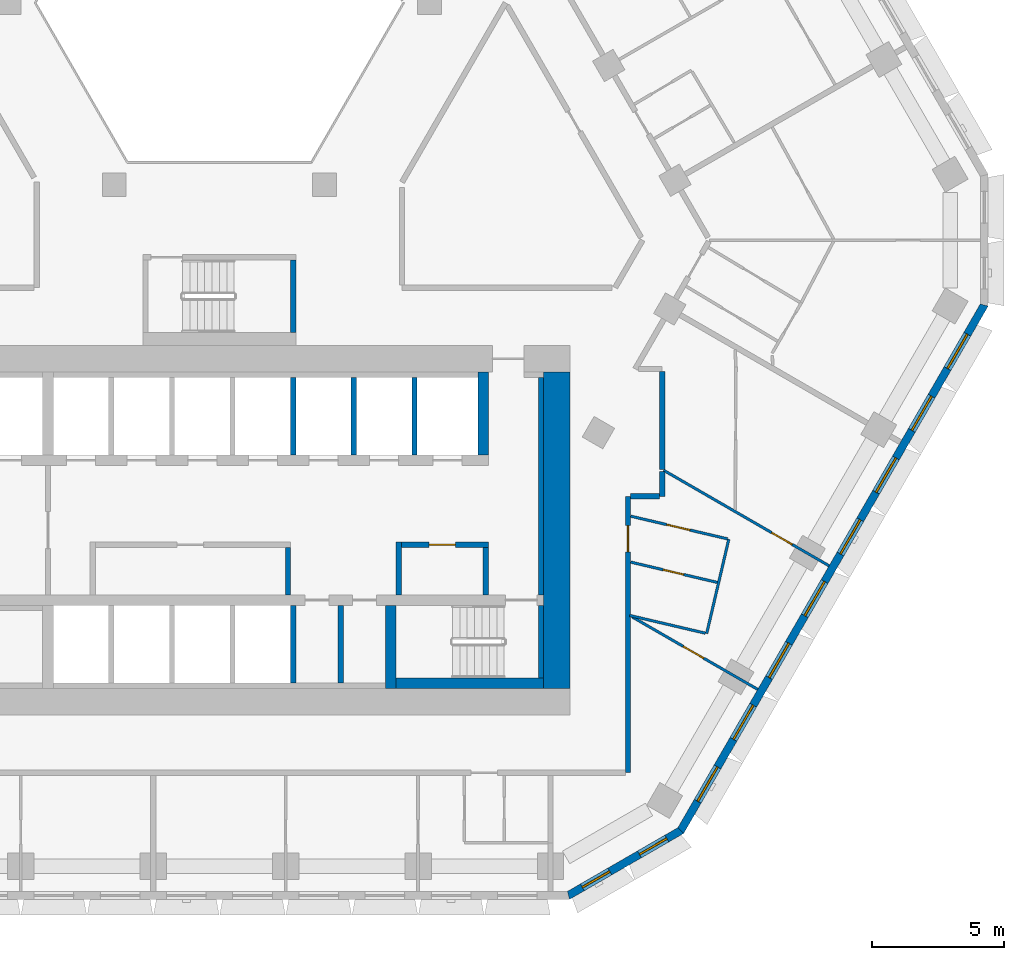
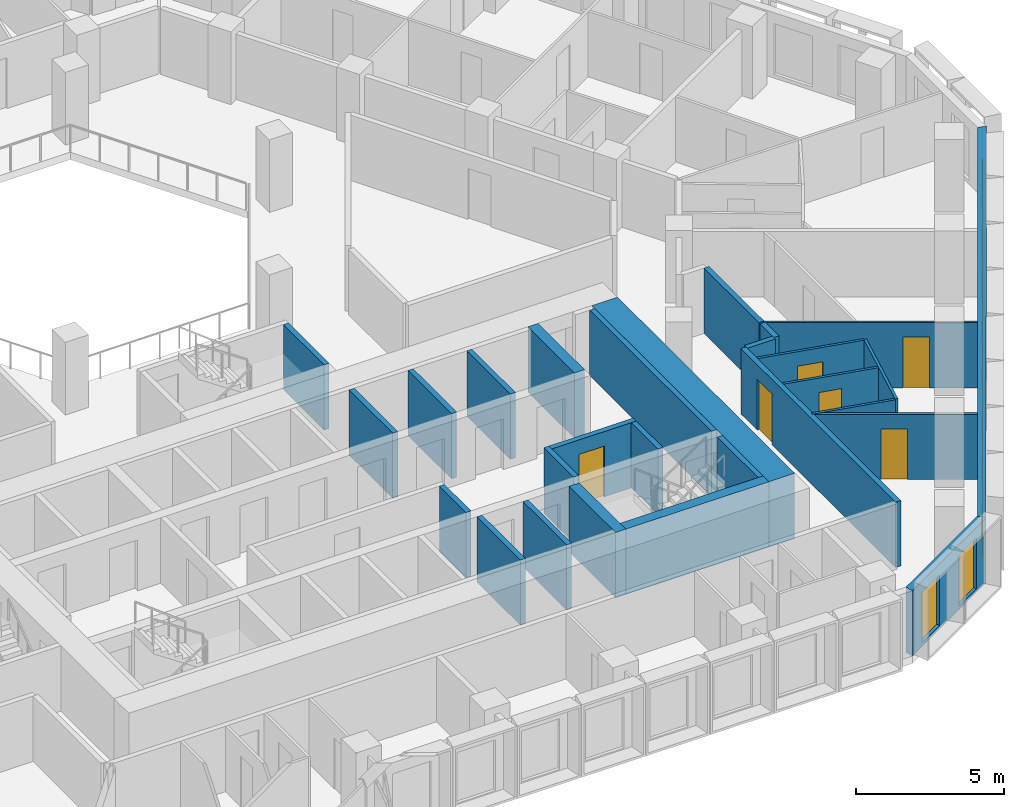
# One storey, part 6 of 18: 28 walls, 10 windows, 6 doors, 16 openings.
"""IFC4 building model written with IfcOpenShell, lengths in metres."""

from ifc_helpers import new_model, si_unit, direction, frame, frame_2d, origin, place, context, subcontext, project, spatial, polyline, rectangle, outline, extrude, material, layer, layer_set, type_object, element, fill, save


model = new_model("IFC4")

# Units and contexts
model_context = context("Model", 3, precision=1e-05, world=origin(), true_north=direction((0.0, 1.0)))
body_context = subcontext(model_context, "Body", "Model", "MODEL_VIEW")
ifc_project = project(units=[si_unit("LENGTHUNIT", "METRE"), si_unit("AREAUNIT", "SQUARE_METRE"), si_unit("VOLUMEUNIT", "CUBIC_METRE"), si_unit("PLANEANGLEUNIT", "RADIAN"), si_unit("MASSUNIT", "GRAM", prefix="KILO")], contexts=[model_context])

# Site, building, storey
site_placement = place(None, origin())
site = spatial("IfcSite", under=ifc_project, at=site_placement, CompositionType="ELEMENT")
building_placement = place(site_placement, origin())
building = spatial("IfcBuilding", under=site, at=building_placement, Name="Beryl Residences", CompositionType="ELEMENT")
storey_placement = place(building_placement, frame((0.0, 0.0, 81.0)))
storey = spatial("IfcBuildingStorey", under=building, at=storey_placement, Name="L24", CompositionType="ELEMENT", Elevation=81.0)

# Wall, openings, windows
ifc_material_1 = material(Name="Composite metal panel with mineral wool insulation")
ifc_layer_1 = layer(ifc_material_1, 0.300048828125)
ifc_layer_set_1 = layer_set([ifc_layer_1], Name="ES1 pale metal composite panel wall 300 mm")
wall_type_1 = type_object("IfcWallType", Name="ES1 pale metal composite panel wall 300 mm", PredefinedType="SOLIDWALL", material=ifc_layer_set_1)
wall_1_placement = place(storey_placement, frame((13.2041015625, -25.8701171875, 0.0), z_axis=(0.0, 0.0, 1.0), x_axis=(0.866010750942, 0.50002537861, 0.0)))
wall_1 = element("IfcWall", 1, at=wall_1_placement, inside=storey, type_object=wall_type_1, Name="ES1 external wall L24 S-SE", PredefinedType="SOLIDWALL", context=body_context, shape_type="SweptSolid", body=[
    extrude(outline(polyline([(0.0, -0.14990234375), (4.999755859375, -0.14990234375), (4.91943359375, 0.14990234375), (0.080322265625, 0.14990234375), (0.0, -0.14990234375)])), origin(), (0.0, 0.0, 1.0), 2.699951171875),
])
opening_1_placement = place(wall_1_placement, frame((0.64990234375, 0.0, 0.14990234375)))
opening_1 = element("IfcOpeningElement", 2, at=opening_1_placement, cuts=wall_1, Name="Opening W2", PredefinedType="OPENING", context=body_context, shape_type="SweptSolid", body=[
    extrude(rectangle(XDim=1.199951171875, YDim=2.10009765625, at=frame_2d((0.60009765625, 1.050048828125))), frame((0.0, 0.159912109375, 0.0), z_axis=(0.0, -1.0, 0.0), x_axis=(1.0, 0.0, 0.0)), (0.0, 0.0, 1.0), 0.320068359375),
])
opening_2_placement = place(wall_1_placement, frame((3.14892578125, 0.0, 0.14990234375)))
opening_2 = element("IfcOpeningElement", 3, at=opening_2_placement, cuts=wall_1, Name="Opening W2", PredefinedType="OPENING", context=body_context, shape_type="SweptSolid", body=[
    extrude(rectangle(XDim=1.199951171875, YDim=2.10009765625, at=frame_2d((0.60009765625, 1.050048828125))), frame((0.0, 0.159912109375, 0.0), z_axis=(0.0, -1.0, 0.0), x_axis=(1.0, 0.0, 0.0)), (0.0, 0.0, 1.0), 0.320068359375),
])
ifc_material_2 = material(Name="Aluminium and clear glass", Category="aluminium")
window_type_1 = type_object("IfcWindowType", Name="W2 chamfer window 1200 x 2100 mm", PartitioningType="SINGLE_PANEL", PredefinedType="WINDOW", material=ifc_material_2)
window_1_placement = place(opening_1_placement, origin())
window_1 = element("IfcWindow", 4, at=window_1_placement, inside=storey, type_object=window_type_1, Name="W2 window L24 S-SE 1", OverallHeight=2.10009765625, OverallWidth=1.199951171875, PartitioningType="SINGLE_PANEL", PredefinedType="WINDOW", context=body_context, shape_type="SweptSolid", body=[
    extrude(rectangle(XDim=1.199951171875, YDim=2.10009765625, at=frame_2d((0.60009765625, 1.050048828125))), frame((0.0, 0.030029296875, 0.0), z_axis=(0.0, -1.0, 0.0), x_axis=(1.0, 0.0, 0.0)), (0.0, 0.0, 1.0), 0.06005859375),
])
fill(opening_1, window_1)
window_2_placement = place(opening_2_placement, origin())
window_2 = element("IfcWindow", 5, at=window_2_placement, inside=storey, type_object=window_type_1, Name="W2 window L24 S-SE 2", OverallHeight=2.10009765625, OverallWidth=1.199951171875, PartitioningType="SINGLE_PANEL", PredefinedType="WINDOW", context=body_context, shape_type="SweptSolid", body=[
    extrude(rectangle(XDim=1.199951171875, YDim=2.10009765625, at=frame_2d((0.60009765625, 1.050048828125))), frame((0.0, 0.030029296875, 0.0), z_axis=(0.0, -1.0, 0.0), x_axis=(1.0, 0.0, 0.0)), (0.0, 0.0, 1.0), 0.06005859375),
])
fill(opening_2, window_2)

wall_2_placement = place(storey_placement, frame((17.47900390625, -23.425048828125, 0.0), z_axis=(0.0, 0.0, 1.0), x_axis=(0.500035407905, 0.866004960056, 0.0)))
wall_2 = element("IfcWall", 6, at=wall_2_placement, inside=storey, type_object=wall_type_1, Name="ES1 external wall L24 SE", PredefinedType="SOLIDWALL", context=body_context, shape_type="SweptSolid", body=[
    extrude(outline(polyline([(0.0, -0.14990234375), (23.094482421875, -0.14990234375), (23.01416015625, 0.14990234375), (0.080322265625, 0.14990234375), (0.0, -0.14990234375)])), origin(), (0.0, 0.0, 1.0), 2.699951171875),
])
opening_3_placement = place(wall_2_placement, frame((1.323974609375, 0.0, 0.14990234375)))
opening_3 = element("IfcOpeningElement", 7, at=opening_3_placement, cuts=wall_2, Name="Opening W1", PredefinedType="OPENING", context=body_context, shape_type="SweptSolid", body=[
    extrude(rectangle(XDim=1.5, YDim=2.10009765625, at=frame_2d((0.75, 1.050048828125))), frame((0.0, 0.159912109375, 0.0), z_axis=(0.0, -1.0, 0.0), x_axis=(1.0, 0.0, 0.0)), (0.0, 0.0, 1.0), 0.320068359375),
])
opening_4_placement = place(wall_2_placement, frame((4.031005859375, 0.0, 0.14990234375)))
opening_4 = element("IfcOpeningElement", 8, at=opening_4_placement, cuts=wall_2, Name="Opening W1", PredefinedType="OPENING", context=body_context, shape_type="SweptSolid", body=[
    extrude(rectangle(XDim=1.5, YDim=2.10009765625, at=frame_2d((0.75, 1.050048828125))), frame((0.0, 0.159912109375, 0.0), z_axis=(0.0, -1.0, 0.0), x_axis=(1.0, 0.0, 0.0)), (0.0, 0.0, 1.0), 0.320068359375),
])
opening_5_placement = place(wall_2_placement, frame((6.737060546875, 0.0, 0.14990234375)))
opening_5 = element("IfcOpeningElement", 9, at=opening_5_placement, cuts=wall_2, Name="Opening W1", PredefinedType="OPENING", context=body_context, shape_type="SweptSolid", body=[
    extrude(rectangle(XDim=1.5, YDim=2.10009765625, at=frame_2d((0.75, 1.050048828125))), frame((0.0, 0.159912109375, 0.0), z_axis=(0.0, -1.0, 0.0), x_axis=(1.0, 0.0, 0.0)), (0.0, 0.0, 1.0), 0.320068359375),
])
opening_6_placement = place(wall_2_placement, frame((9.444091796875, 0.0, 0.14990234375)))
opening_6 = element("IfcOpeningElement", 10, at=opening_6_placement, cuts=wall_2, Name="Opening W1", PredefinedType="OPENING", context=body_context, shape_type="SweptSolid", body=[
    extrude(rectangle(XDim=1.5, YDim=2.10009765625, at=frame_2d((0.75, 1.050048828125))), frame((0.0, 0.159912109375, 0.0), z_axis=(0.0, -1.0, 0.0), x_axis=(1.0, 0.0, 0.0)), (0.0, 0.0, 1.0), 0.320068359375),
])
opening_7_placement = place(wall_2_placement, frame((12.15087890625, 0.0, 0.14990234375)))
opening_7 = element("IfcOpeningElement", 11, at=opening_7_placement, cuts=wall_2, Name="Opening W1", PredefinedType="OPENING", context=body_context, shape_type="SweptSolid", body=[
    extrude(rectangle(XDim=1.5, YDim=2.10009765625, at=frame_2d((0.75, 1.050048828125))), frame((0.0, 0.159912109375, 0.0), z_axis=(0.0, -1.0, 0.0), x_axis=(1.0, 0.0, 0.0)), (0.0, 0.0, 1.0), 0.320068359375),
])
opening_8_placement = place(wall_2_placement, frame((14.85693359375, 0.0, 0.14990234375)))
opening_8 = element("IfcOpeningElement", 12, at=opening_8_placement, cuts=wall_2, Name="Opening W1", PredefinedType="OPENING", context=body_context, shape_type="SweptSolid", body=[
    extrude(rectangle(XDim=1.5, YDim=2.10009765625, at=frame_2d((0.75, 1.050048828125))), frame((0.0, 0.159912109375, 0.0), z_axis=(0.0, -1.0, 0.0), x_axis=(1.0, 0.0, 0.0)), (0.0, 0.0, 1.0), 0.320068359375),
])
opening_9_placement = place(wall_2_placement, frame((17.56396484375, 0.0, 0.14990234375)))
opening_9 = element("IfcOpeningElement", 13, at=opening_9_placement, cuts=wall_2, Name="Opening W1", PredefinedType="OPENING", context=body_context, shape_type="SweptSolid", body=[
    extrude(rectangle(XDim=1.5, YDim=2.10009765625, at=frame_2d((0.75, 1.050048828125))), frame((0.0, 0.159912109375, 0.0), z_axis=(0.0, -1.0, 0.0), x_axis=(1.0, 0.0, 0.0)), (0.0, 0.0, 1.0), 0.320068359375),
])
opening_10_placement = place(wall_2_placement, frame((20.27099609375, 0.0, 0.14990234375)))
opening_10 = element("IfcOpeningElement", 14, at=opening_10_placement, cuts=wall_2, Name="Opening W1", PredefinedType="OPENING", context=body_context, shape_type="SweptSolid", body=[
    extrude(rectangle(XDim=1.5, YDim=2.10009765625, at=frame_2d((0.75, 1.050048828125))), frame((0.0, 0.159912109375, 0.0), z_axis=(0.0, -1.0, 0.0), x_axis=(1.0, 0.0, 0.0)), (0.0, 0.0, 1.0), 0.320068359375),
])
ifc_material_3 = material(Name="Aluminium and clear glass", Category="aluminium")
window_type_2 = type_object("IfcWindowType", Name="W1 cell window 1500 x 2100 mm", PartitioningType="SINGLE_PANEL", PredefinedType="WINDOW", material=ifc_material_3)
window_3_placement = place(opening_3_placement, origin())
window_3 = element("IfcWindow", 15, at=window_3_placement, inside=storey, type_object=window_type_2, Name="W1 window L24 SE 1", OverallHeight=2.10009765625, OverallWidth=1.5, PartitioningType="SINGLE_PANEL", PredefinedType="WINDOW", context=body_context, shape_type="SweptSolid", body=[
    extrude(rectangle(XDim=1.5, YDim=2.10009765625, at=frame_2d((0.75, 1.050048828125))), frame((0.0, 0.030029296875, 0.0), z_axis=(0.0, -1.0, 0.0), x_axis=(1.0, 0.0, 0.0)), (0.0, 0.0, 1.0), 0.06005859375),
])
fill(opening_3, window_3)
window_4_placement = place(opening_4_placement, origin())
window_4 = element("IfcWindow", 16, at=window_4_placement, inside=storey, type_object=window_type_2, Name="W1 window L24 SE 2", OverallHeight=2.10009765625, OverallWidth=1.5, PartitioningType="SINGLE_PANEL", PredefinedType="WINDOW", context=body_context, shape_type="SweptSolid", body=[
    extrude(rectangle(XDim=1.5, YDim=2.10009765625, at=frame_2d((0.75, 1.050048828125))), frame((0.0, 0.030029296875, 0.0), z_axis=(0.0, -1.0, 0.0), x_axis=(1.0, 0.0, 0.0)), (0.0, 0.0, 1.0), 0.06005859375),
])
fill(opening_4, window_4)
window_5_placement = place(opening_5_placement, origin())
window_5 = element("IfcWindow", 17, at=window_5_placement, inside=storey, type_object=window_type_2, Name="W1 window L24 SE 3", OverallHeight=2.10009765625, OverallWidth=1.5, PartitioningType="SINGLE_PANEL", PredefinedType="WINDOW", context=body_context, shape_type="SweptSolid", body=[
    extrude(rectangle(XDim=1.5, YDim=2.10009765625, at=frame_2d((0.75, 1.050048828125))), frame((0.0, 0.030029296875, 0.0), z_axis=(0.0, -1.0, 0.0), x_axis=(1.0, 0.0, 0.0)), (0.0, 0.0, 1.0), 0.06005859375),
])
fill(opening_5, window_5)
window_6_placement = place(opening_6_placement, origin())
window_6 = element("IfcWindow", 18, at=window_6_placement, inside=storey, type_object=window_type_2, Name="W1 window L24 SE 4", OverallHeight=2.10009765625, OverallWidth=1.5, PartitioningType="SINGLE_PANEL", PredefinedType="WINDOW", context=body_context, shape_type="SweptSolid", body=[
    extrude(rectangle(XDim=1.5, YDim=2.10009765625, at=frame_2d((0.75, 1.050048828125))), frame((0.0, 0.030029296875, 0.0), z_axis=(0.0, -1.0, 0.0), x_axis=(1.0, 0.0, 0.0)), (0.0, 0.0, 1.0), 0.06005859375),
])
fill(opening_6, window_6)
window_7_placement = place(opening_7_placement, origin())
window_7 = element("IfcWindow", 19, at=window_7_placement, inside=storey, type_object=window_type_2, Name="W1 window L24 SE 5", OverallHeight=2.10009765625, OverallWidth=1.5, PartitioningType="SINGLE_PANEL", PredefinedType="WINDOW", context=body_context, shape_type="SweptSolid", body=[
    extrude(rectangle(XDim=1.5, YDim=2.10009765625, at=frame_2d((0.75, 1.050048828125))), frame((0.0, 0.030029296875, 0.0), z_axis=(0.0, -1.0, 0.0), x_axis=(1.0, 0.0, 0.0)), (0.0, 0.0, 1.0), 0.06005859375),
])
fill(opening_7, window_7)
window_8_placement = place(opening_8_placement, origin())
window_8 = element("IfcWindow", 20, at=window_8_placement, inside=storey, type_object=window_type_2, Name="W1 window L24 SE 6", OverallHeight=2.10009765625, OverallWidth=1.5, PartitioningType="SINGLE_PANEL", PredefinedType="WINDOW", context=body_context, shape_type="SweptSolid", body=[
    extrude(rectangle(XDim=1.5, YDim=2.10009765625, at=frame_2d((0.75, 1.050048828125))), frame((0.0, 0.030029296875, 0.0), z_axis=(0.0, -1.0, 0.0), x_axis=(1.0, 0.0, 0.0)), (0.0, 0.0, 1.0), 0.06005859375),
])
fill(opening_8, window_8)
window_9_placement = place(opening_9_placement, origin())
window_9 = element("IfcWindow", 21, at=window_9_placement, inside=storey, type_object=window_type_2, Name="W1 window L24 SE 7", OverallHeight=2.10009765625, OverallWidth=1.5, PartitioningType="SINGLE_PANEL", PredefinedType="WINDOW", context=body_context, shape_type="SweptSolid", body=[
    extrude(rectangle(XDim=1.5, YDim=2.10009765625, at=frame_2d((0.75, 1.050048828125))), frame((0.0, 0.030029296875, 0.0), z_axis=(0.0, -1.0, 0.0), x_axis=(1.0, 0.0, 0.0)), (0.0, 0.0, 1.0), 0.06005859375),
])
fill(opening_9, window_9)
window_10_placement = place(opening_10_placement, origin())
window_10 = element("IfcWindow", 22, at=window_10_placement, inside=storey, type_object=window_type_2, Name="W1 window L24 SE 8", OverallHeight=2.10009765625, OverallWidth=1.5, PartitioningType="SINGLE_PANEL", PredefinedType="WINDOW", context=body_context, shape_type="SweptSolid", body=[
    extrude(rectangle(XDim=1.5, YDim=2.10009765625, at=frame_2d((0.75, 1.050048828125))), frame((0.0, 0.030029296875, 0.0), z_axis=(0.0, -1.0, 0.0), x_axis=(1.0, 0.0, 0.0)), (0.0, 0.0, 1.0), 0.06005859375),
])
fill(opening_10, window_10)

# Wall, opening, door
ifc_material_4 = material(Name="Gypsum board partition on steel studs", Category="steel")
ifc_layer_2 = layer(ifc_material_4, 0.10009765625)
ifc_layer_set_2 = layer_set([ifc_layer_2], Name="PT1 partition 100 mm gypsum board on steel studs")
wall_type_2 = type_object("IfcWallType", Name="PT1 partition 100 mm gypsum board on steel studs", PredefinedType="PARTITIONING", material=ifc_layer_set_2)
wall_3_placement = place(storey_placement, frame((15.60009765625, -11.468017578125, 0.0), z_axis=(0.0, 0.0, 1.0), x_axis=(0.973560523801, -0.228429215503, 0.0)))
wall_3 = element("IfcWall", 23, at=wall_3_placement, inside=storey, type_object=wall_type_2, Name="Wall PT1 L24 017", PredefinedType="PARTITIONING", context=body_context, shape_type="SweptSolid", body=[
    extrude(rectangle(XDim=3.76953125, YDim=0.10009765625, at=frame_2d((1.884765625, 0.0))), origin(), (0.0, 0.0, 1.0), 2.699951171875),
])
opening_11_placement = place(wall_3_placement, frame((1.408935546875, 0.0, 0.0)))
opening_11 = element("IfcOpeningElement", 24, at=opening_11_placement, cuts=wall_3, Name="Opening D0639", PredefinedType="OPENING", context=body_context, shape_type="SweptSolid", body=[
    extrude(rectangle(XDim=0.89990234375, YDim=2.10009765625, at=frame_2d((0.449951171875, 1.050048828125))), frame((0.0, 0.06005859375, 0.0), z_axis=(0.0, -1.0, 0.0), x_axis=(1.0, 0.0, 0.0)), (0.0, 0.0, 1.0), 0.1201171875),
])
ifc_material_5 = material(Name="Timber door leaf", Category="wood")
door_type_1 = type_object("IfcDoorType", Name="D2 room door 900 x 2100 mm", OperationType="SINGLE_SWING_LEFT", PredefinedType="DOOR", material=ifc_material_5)
door_1_placement = place(opening_11_placement, origin())
door_1 = element("IfcDoor", 25, at=door_1_placement, inside=storey, type_object=door_type_1, Name="Door D0639 L24 001", OperationType="SINGLE_SWING_LEFT", OverallHeight=2.10009765625, OverallWidth=0.89990234375, PredefinedType="DOOR", context=body_context, shape_type="SweptSolid", body=[
    extrude(rectangle(XDim=0.89990234375, YDim=2.10009765625, at=frame_2d((0.449951171875, 1.050048828125))), frame((0.0, 0.02490234375, 0.0), z_axis=(0.0, -1.0, 0.0), x_axis=(1.0, 0.0, 0.0)), (0.0, 0.0, 1.0), 0.050048828125),
])
fill(opening_11, door_1)

wall_4_placement = place(storey_placement, frame((15.60009765625, -13.2109375, 0.0), z_axis=(0.0, 0.0, 1.0), x_axis=(0.973593440667, -0.228288879032, 0.0)))
wall_4 = element("IfcWall", 26, at=wall_4_placement, inside=storey, type_object=wall_type_2, Name="Wall PT1 L24 018", PredefinedType="PARTITIONING", context=body_context, shape_type="SweptSolid", body=[
    extrude(rectangle(XDim=3.373046875, YDim=0.10009765625, at=frame_2d((1.6865234375, 0.0))), origin(), (0.0, 0.0, 1.0), 2.699951171875),
])
opening_12_placement = place(wall_4_placement, frame((1.260009765625, 0.0, 0.0)))
opening_12 = element("IfcOpeningElement", 27, at=opening_12_placement, cuts=wall_4, Name="Opening D0640", PredefinedType="OPENING", context=body_context, shape_type="SweptSolid", body=[
    extrude(rectangle(XDim=0.800048828125, YDim=2.10009765625, at=frame_2d((0.39990234375, 1.050048828125))), frame((0.0, 0.06005859375, 0.0), z_axis=(0.0, -1.0, 0.0), x_axis=(1.0, 0.0, 0.0)), (0.0, 0.0, 1.0), 0.1201171875),
])
ifc_material_6 = material(Name="Timber door leaf", Category="wood")
door_type_2 = type_object("IfcDoorType", Name="D3 bathroom door 800 x 2100 mm", OperationType="SINGLE_SWING_LEFT", PredefinedType="DOOR", material=ifc_material_6)
door_2_placement = place(opening_12_placement, origin())
door_2 = element("IfcDoor", 28, at=door_2_placement, inside=storey, type_object=door_type_2, Name="Door D0640 L24 001", OperationType="SINGLE_SWING_RIGHT", OverallHeight=2.10009765625, OverallWidth=0.800048828125, PredefinedType="DOOR", context=body_context, shape_type="SweptSolid", body=[
    extrude(rectangle(XDim=0.800048828125, YDim=2.10009765625, at=frame_2d((0.39990234375, 1.050048828125))), frame((0.0, 0.02490234375, 0.0), z_axis=(0.0, -1.0, 0.0), x_axis=(1.0, 0.0, 0.0)), (0.0, 0.0, 1.0), 0.050048828125),
])
fill(opening_12, door_2)

# Wall
wall_5_placement = place(storey_placement, frame((15.56005859375, -15.23388671875, 0.0), z_axis=(0.0, 0.0, 1.0), x_axis=(0.973598200068, -0.228268580457, 0.0)))
element("IfcWall", 29, at=wall_5_placement, inside=storey, type_object=wall_type_2, Name="Wall PT1 L24 019", PredefinedType="PARTITIONING", context=body_context, shape_type="SweptSolid", body=[
    extrude(rectangle(XDim=2.94873046875, YDim=0.10009765625, at=frame_2d((1.474365234375, 0.0))), origin(), (0.0, 0.0, 1.0), 2.699951171875),
])

# Wall, opening, door
wall_6_placement = place(storey_placement, frame((15.64306640625, -15.281982421875, 0.0), z_axis=(0.0, 0.0, 1.0), x_axis=(0.865990833325, -0.500059873013, 0.0)))
wall_6 = element("IfcWall", 30, at=wall_6_placement, inside=storey, type_object=wall_type_2, Name="Wall PT1 L24 023", PredefinedType="PARTITIONING", context=body_context, shape_type="SweptSolid", body=[
    extrude(rectangle(XDim=5.511474609375, YDim=0.10009765625, at=frame_2d((2.755859375, 0.0))), origin(), (0.0, 0.0, 1.0), 2.699951171875),
])
opening_13_placement = place(wall_6_placement, frame((2.248046875, 0.0, 0.0)))
opening_13 = element("IfcOpeningElement", 31, at=opening_13_placement, cuts=wall_6, Name="Opening D0641", PredefinedType="OPENING", context=body_context, shape_type="SweptSolid", body=[
    extrude(rectangle(XDim=0.89990234375, YDim=2.10009765625, at=frame_2d((0.449951171875, 1.050048828125))), frame((0.0, 0.06005859375, 0.0), z_axis=(0.0, -1.0, 0.0), x_axis=(1.0, 0.0, 0.0)), (0.0, 0.0, 1.0), 0.1201171875),
])
door_3_placement = place(opening_13_placement, origin())
door_3 = element("IfcDoor", 32, at=door_3_placement, inside=storey, type_object=door_type_1, Name="Door D0641 L24 001", OperationType="SINGLE_SWING_LEFT", OverallHeight=2.10009765625, OverallWidth=0.89990234375, PredefinedType="DOOR", context=body_context, shape_type="SweptSolid", body=[
    extrude(rectangle(XDim=0.89990234375, YDim=2.10009765625, at=frame_2d((0.449951171875, 1.050048828125))), frame((0.0, 0.02490234375, 0.0), z_axis=(0.0, -1.0, 0.0), x_axis=(1.0, 0.0, 0.0)), (0.0, 0.0, 1.0), 0.050048828125),
])
fill(opening_13, door_3)

wall_7_placement = place(storey_placement, frame((16.85107421875, -9.72900390625, 0.0), z_axis=(0.0, 0.0, 1.0), x_axis=(0.866027278279, -0.499996753267, 0.0)))
wall_7 = element("IfcWall", 33, at=wall_7_placement, inside=storey, type_object=wall_type_2, Name="Wall PT1 L24 026", PredefinedType="PARTITIONING", context=body_context, shape_type="SweptSolid", body=[
    extrude(rectangle(XDim=7.2421875, YDim=0.10009765625, at=frame_2d((3.62109375, 0.0))), origin(), (0.0, 0.0, 1.0), 2.699951171875),
])
opening_14_placement = place(wall_7_placement, frame((4.72802734375, 0.0, 0.0)))
opening_14 = element("IfcOpeningElement", 34, at=opening_14_placement, cuts=wall_7, Name="Opening D0642", PredefinedType="OPENING", context=body_context, shape_type="SweptSolid", body=[
    extrude(rectangle(XDim=0.89990234375, YDim=2.10009765625, at=frame_2d((0.449951171875, 1.050048828125))), frame((0.0, 0.06005859375, 0.0), z_axis=(0.0, -1.0, 0.0), x_axis=(1.0, 0.0, 0.0)), (0.0, 0.0, 1.0), 0.1201171875),
])
door_4_placement = place(opening_14_placement, origin())
door_4 = element("IfcDoor", 35, at=door_4_placement, inside=storey, type_object=door_type_1, Name="Door D0642 L24 001", OperationType="SINGLE_SWING_RIGHT", OverallHeight=2.10009765625, OverallWidth=0.89990234375, PredefinedType="DOOR", context=body_context, shape_type="SweptSolid", body=[
    extrude(rectangle(XDim=0.89990234375, YDim=2.10009765625, at=frame_2d((0.449951171875, 1.050048828125))), frame((0.0, 0.02490234375, 0.0), z_axis=(0.0, -1.0, 0.0), x_axis=(1.0, 0.0, 0.0)), (0.0, 0.0, 1.0), 0.050048828125),
])
fill(opening_14, door_4)

# Walls
wall_8_placement = place(storey_placement, frame((18.48095703125, -15.91796875, 0.0), z_axis=(0.0, 0.0, 1.0), x_axis=(0.228391116115, 0.97356946238, 0.0)))
element("IfcWall", 36, at=wall_8_placement, inside=storey, type_object=wall_type_2, Name="Wall PT1 L24 048", PredefinedType="PARTITIONING", context=body_context, shape_type="SweptSolid", body=[
    extrude(rectangle(XDim=3.674072265625, YDim=0.10009765625, at=frame_2d((1.8369140625, 0.0))), origin(), (0.0, 0.0, 1.0), 2.699951171875),
])
ifc_material_7 = material(Name="Concrete masonry", Category="masonry")
ifc_layer_3 = layer(ifc_material_7, 0.199951171875)
ifc_layer_set_3 = layer_set([ifc_layer_3], Name="PT13 lobby wall 200 mm")
wall_type_3 = type_object("IfcWallType", Name="PT13 lobby wall 200 mm", PredefinedType="PARTITIONING", material=ifc_layer_set_3)
wall_9_placement = place(storey_placement, frame((2.60009765625, -14.449951171875, 0.0), z_axis=(0.0, 0.0, 1.0), x_axis=(0.0, 1.0, 0.0)))
element("IfcWall", 37, at=wall_9_placement, inside=storey, type_object=wall_type_3, Name="Lobby wall 22", PredefinedType="PARTITIONING", context=body_context, shape_type="SweptSolid", body=[
    extrude(rectangle(XDim=1.800048828125, YDim=0.199951171875, at=frame_2d((0.89990234375, 0.0))), origin(), (0.0, 0.0, 1.0), 2.699951171875),
])
wall_10_placement = place(storey_placement, frame((6.800048828125, -14.449951171875, 0.0), z_axis=(0.0, 0.0, 1.0), x_axis=(0.0, 1.0, 0.0)))
element("IfcWall", 38, at=wall_10_placement, inside=storey, type_object=wall_type_3, Name="Lobby wall 28", PredefinedType="PARTITIONING", context=body_context, shape_type="SweptSolid", body=[
    extrude(rectangle(XDim=2.0, YDim=0.199951171875, at=frame_2d((1.0, 0.0))), origin(), (0.0, 0.0, 1.0), 2.699951171875),
])

# Wall, opening, door
wall_11_placement = place(storey_placement, frame((6.89990234375, -12.550048828125, 0.0), z_axis=(0.0, 0.0, 1.0), x_axis=(1.0, 0.0, 0.0)))
wall_11 = element("IfcWall", 39, at=wall_11_placement, inside=storey, type_object=wall_type_3, Name="Lobby wall 29", PredefinedType="PARTITIONING", context=body_context, shape_type="SweptSolid", body=[
    extrude(rectangle(XDim=3.300048828125, YDim=0.199951171875, at=frame_2d((1.64990234375, 0.0))), origin(), (0.0, 0.0, 1.0), 2.699951171875),
])
opening_15_placement = place(wall_11_placement, frame((2.050048828125, 0.0, 0.0), z_axis=(0.0, 0.0, 1.0), x_axis=(-1.0, 0.0, 0.0)))
opening_15 = element("IfcOpeningElement", 40, at=opening_15_placement, cuts=wall_11, Name="Opening CD-D-A2", PredefinedType="OPENING", context=body_context, shape_type="SweptSolid", body=[
    extrude(rectangle(XDim=1.0, YDim=2.10009765625, at=frame_2d((0.5, 1.050048828125))), frame((0.0, 0.10986328125, 0.0), z_axis=(0.0, -1.0, 0.0), x_axis=(1.0, 0.0, 0.0)), (0.0, 0.0, 1.0), 0.219970703125),
])
ifc_material_8 = material(Name="Steel door leaf in steel frame", Category="steel")
door_type_3 = type_object("IfcDoorType", Name="D18 service room door 1000 x 2100 mm", OperationType="SINGLE_SWING_LEFT", PredefinedType="DOOR", material=ifc_material_8)
door_5_placement = place(opening_15_placement, origin())
door_5 = element("IfcDoor", 41, at=door_5_placement, inside=storey, type_object=door_type_3, Name="Door CD-D-A2 L24 001", OperationType="SINGLE_SWING_LEFT", OverallHeight=2.10009765625, OverallWidth=1.0, PredefinedType="DOOR", context=body_context, shape_type="SweptSolid", body=[
    extrude(rectangle(XDim=1.0, YDim=2.10009765625, at=frame_2d((0.5, 1.050048828125))), frame((0.0, 0.02490234375, 0.0), z_axis=(0.0, -1.0, 0.0), x_axis=(1.0, 0.0, 0.0)), (0.0, 0.0, 1.0), 0.050048828125),
])
fill(opening_15, door_5)

# Walls
wall_12_placement = place(storey_placement, frame((10.10009765625, -14.449951171875, 0.0), z_axis=(0.0, 0.0, 1.0), x_axis=(0.0, 1.0, 0.0)))
element("IfcWall", 42, at=wall_12_placement, inside=storey, type_object=wall_type_3, Name="Lobby wall 31", PredefinedType="PARTITIONING", context=body_context, shape_type="SweptSolid", body=[
    extrude(rectangle(XDim=1.800048828125, YDim=0.199951171875, at=frame_2d((0.89990234375, 0.0))), origin(), (0.0, 0.0, 1.0), 2.699951171875),
])
wall_13_placement = place(storey_placement, frame((12.199951171875, -14.449951171875, 0.0), z_axis=(0.0, 0.0, 1.0), x_axis=(0.0, 1.0, 0.0)))
element("IfcWall", 43, at=wall_13_placement, inside=storey, type_object=wall_type_3, Name="Lobby wall 34", PredefinedType="PARTITIONING", context=body_context, shape_type="SweptSolid", body=[
    extrude(rectangle(XDim=8.25, YDim=0.199951171875, at=frame_2d((4.125, 0.0))), origin(), (0.0, 0.0, 1.0), 2.699951171875),
])
ifc_material_9 = material(Name="Double stud gypsum board wall")
ifc_layer_4 = layer(ifc_material_9, 0.199951171875)
ifc_layer_set_4 = layer_set([ifc_layer_4], Name="PT4 corridor wall 200 mm double stud")
wall_type_4 = type_object("IfcWallType", Name="PT4 corridor wall 200 mm double stud", PredefinedType="PARTITIONING", material=ifc_layer_set_4)
wall_14_placement = place(storey_placement, frame((16.791015625, -5.986083984375, 0.0), z_axis=(0.0, 0.0, 1.0), x_axis=(0.0, -1.0, 0.0)))
element("IfcWall", 44, at=wall_14_placement, inside=storey, type_object=wall_type_4, Name="Wall PT4 L24 010", PredefinedType="PARTITIONING", context=body_context, shape_type="SweptSolid", body=[
    extrude(rectangle(XDim=3.7080078125, YDim=0.199951171875, at=frame_2d((1.85400390625, 0.0))), origin(), (0.0, 0.0, 1.0), 2.699951171875),
])
wall_15_placement = place(storey_placement, frame((15.60107421875, -10.715087890625, 0.0), z_axis=(0.0, 0.0, 1.0), x_axis=(1.0, 0.0, 0.0)))
element("IfcWall", 45, at=wall_15_placement, inside=storey, type_object=wall_type_4, Name="Wall PT4 L24 014", PredefinedType="PARTITIONING", context=body_context, shape_type="SweptSolid", body=[
    extrude(rectangle(XDim=1.0888671875, YDim=0.199951171875, at=frame_2d((0.54443359375, 0.0))), origin(), (0.0, 0.0, 1.0), 2.699951171875),
])

# Wall, opening, door
wall_16_placement = place(storey_placement, frame((15.5, -21.198974609375, 0.0), z_axis=(0.0, 0.0, 1.0), x_axis=(0.0, 1.0, 0.0)))
wall_16 = element("IfcWall", 46, at=wall_16_placement, inside=storey, type_object=wall_type_4, Name="Wall PT4 L24 029", PredefinedType="PARTITIONING", context=body_context, shape_type="SweptSolid", body=[
    extrude(rectangle(XDim=10.48291015625, YDim=0.199951171875, at=frame_2d((5.241455078125, 0.0))), origin(), (0.0, 0.0, 1.0), 2.699951171875),
])
opening_16_placement = place(wall_16_placement, frame((8.3759765625, 0.0, 0.0)))
opening_16 = element("IfcOpeningElement", 47, at=opening_16_placement, cuts=wall_16, Name="Opening D0638", PredefinedType="OPENING", context=body_context, shape_type="SweptSolid", body=[
    extrude(rectangle(XDim=1.0, YDim=2.10009765625, at=frame_2d((0.5, 1.050048828125))), frame((0.0, 0.10986328125, 0.0), z_axis=(0.0, -1.0, 0.0), x_axis=(1.0, 0.0, 0.0)), (0.0, 0.0, 1.0), 0.219970703125),
])
ifc_material_10 = material(Name="Timber door leaf", Category="wood")
door_type_4 = type_object("IfcDoorType", Name="D1 flat entrance door 1000 x 2100 mm", OperationType="SINGLE_SWING_LEFT", PredefinedType="DOOR", material=ifc_material_10)
door_6_placement = place(opening_16_placement, origin())
door_6 = element("IfcDoor", 48, at=door_6_placement, inside=storey, type_object=door_type_4, Name="Door D0638 L24 001", OperationType="SINGLE_SWING_RIGHT", OverallHeight=2.10009765625, OverallWidth=1.0, PredefinedType="DOOR", context=body_context, shape_type="SweptSolid", body=[
    extrude(rectangle(XDim=1.0, YDim=2.10009765625, at=frame_2d((0.5, 1.050048828125))), frame((0.0, 0.02490234375, 0.0), z_axis=(0.0, -1.0, 0.0), x_axis=(1.0, 0.0, 0.0)), (0.0, 0.0, 1.0), 0.050048828125),
])
fill(opening_16, door_6)

# Walls
wall_17_placement = place(storey_placement, frame((16.791015625, -10.714111328125, 0.0), z_axis=(0.0, 0.0, 1.0), x_axis=(0.0, 1.0, 0.0)))
element("IfcWall", 49, at=wall_17_placement, inside=storey, type_object=wall_type_4, Name="Wall PT4 L24 030", PredefinedType="PARTITIONING", context=body_context, shape_type="SweptSolid", body=[
    extrude(rectangle(XDim=0.942138671875, YDim=0.199951171875, at=frame_2d((0.47119140625, 0.0))), origin(), (0.0, 0.0, 1.0), 2.699951171875),
])
ifc_material_11 = material(Name="Concrete C40/50", Category="concrete")
ifc_layer_5 = layer(ifc_material_11, 0.199951171875)
ifc_layer_set_5 = layer_set([ifc_layer_5], Name="PT5 stair enclosure wall 200 mm reinforced concrete C40/50")
wall_type_5 = type_object("IfcWallType", Name="PT5 stair enclosure wall 200 mm reinforced concrete C40/50", PredefinedType="SOLIDWALL", material=ifc_layer_set_5)
for number, where, z_axis, x_axis, name in (
    (50, (2.800048828125, -4.5, 0.0), (0.0, 0.0, 1.0), (0.0, 1.0, 0.0), "Wall PT5 L24 003"),
    (51, (12.199951171875, -17.60009765625, 0.0), (0.0, 0.0, 1.0), (0.0, 1.0, 0.0), "Stair wall 33"),
):
    element("IfcWall", number, at=place(storey_placement, frame(where, z_axis=z_axis, x_axis=x_axis)), inside=storey, type_object=wall_type_5, Name=name, PredefinedType="SOLIDWALL", context=body_context, shape_type="SweptSolid", body=[
        extrude(rectangle(XDim=2.75, YDim=0.199951171875, at=frame_2d((1.375, 0.0))), origin(), (0.0, 0.0, 1.0), 2.699951171875),
    ])
ifc_material_12 = material(Name="Concrete C40/50", Category="concrete")
ifc_layer_6 = layer(ifc_material_12, 0.39990234375)
ifc_layer_set_6 = layer_set([ifc_layer_6], Name="PT5-400 stair enclosure wall 400 mm")
wall_type_6 = type_object("IfcWallType", Name="PT5-400 stair enclosure wall 400 mm", PredefinedType="SOLIDWALL", material=ifc_layer_set_6)
wall_18_placement = place(storey_placement, frame((6.699951171875, -17.800048828125, 0.0), z_axis=(0.0, 0.0, 1.0), x_axis=(1.0, 0.0, 0.0)))
element("IfcWall", 52, at=wall_18_placement, inside=storey, type_object=wall_type_6, Name="Stair wall 27", PredefinedType="SOLIDWALL", context=body_context, shape_type="SweptSolid", body=[
    extrude(rectangle(XDim=5.60009765625, YDim=0.39990234375, at=frame_2d((2.800048828125, 0.0))), origin(), (0.0, 0.0, 1.0), 2.699951171875),
])
ifc_material_13 = material(Name="Concrete C40/50", Category="concrete")
ifc_layer_7 = layer(ifc_material_13, 0.199951171875)
ifc_layer_set_7 = layer_set([ifc_layer_7], Name="PT6 lift shaft wall 200 mm reinforced concrete C40/50")
wall_type_7 = type_object("IfcWallType", Name="PT6 lift shaft wall 200 mm reinforced concrete C40/50", PredefinedType="SOLIDWALL", material=ifc_layer_set_7)
for number, where, z_axis, x_axis, name in (
    (53, (2.800048828125, -17.800048828125, 0.0), (0.0, 0.0, 1.0), (0.0, 1.0, 0.0), "Lift shaft wall 23"),
    (54, (2.800048828125, -9.14990234375, 0.0), (0.0, 0.0, 1.0), (0.0, 1.0, 0.0), "Lift shaft wall 24"),
    (55, (5.10009765625, -9.14990234375, 0.0), (0.0, 0.0, 1.0), (0.0, 1.0, 0.0), "Lift shaft wall 26"),
    (56, (7.39990234375, -9.14990234375, 0.0), (0.0, 0.0, 1.0), (0.0, 1.0, 0.0), "Lift shaft wall 30"),
):
    element("IfcWall", number, at=place(storey_placement, frame(where, z_axis=z_axis, x_axis=x_axis)), inside=storey, type_object=wall_type_7, Name=name, PredefinedType="SOLIDWALL", context=body_context, shape_type="SweptSolid", body=[
        extrude(rectangle(XDim=2.949951171875, YDim=0.199951171875, at=frame_2d((1.47509765625, 0.0))), origin(), (0.0, 0.0, 1.0), 2.699951171875),
    ])
ifc_material_14 = material(Name="Concrete masonry", Category="masonry")
ifc_layer_8 = layer(ifc_material_14, 0.199951171875)
ifc_layer_set_8 = layer_set([ifc_layer_8], Name="PT8-200 service room wall 200 mm")
wall_type_8 = type_object("IfcWallType", Name="PT8-200 service room wall 200 mm", PredefinedType="PARTITIONING", material=ifc_layer_set_8)
wall_19_placement = place(storey_placement, frame((4.60009765625, -17.800048828125, 0.0), z_axis=(0.0, 0.0, 1.0), x_axis=(0.0, 1.0, 0.0)))
element("IfcWall", 57, at=wall_19_placement, inside=storey, type_object=wall_type_8, Name="Core room wall 25", PredefinedType="PARTITIONING", context=body_context, shape_type="SweptSolid", body=[
    extrude(rectangle(XDim=2.949951171875, YDim=0.199951171875, at=frame_2d((1.47509765625, 0.0))), origin(), (0.0, 0.0, 1.0), 2.699951171875),
])
ifc_material_15 = material(Name="Concrete C70/85", Category="concrete")
ifc_layer_9 = layer(ifc_material_15, 1.0)
ifc_layer_set_9 = layer_set([ifc_layer_9], Name="SW2 core outer wall 1000 mm C70/85")
wall_type_9 = type_object("IfcWallType", Name="SW2 core outer wall 1000 mm C70/85", PredefinedType="SHEAR", material=ifc_layer_set_9)
wall_20_placement = place(storey_placement, frame((12.800048828125, -18.0, 0.0), z_axis=(0.0, 0.0, 1.0), x_axis=(0.0, 1.0, 0.0)))
element("IfcWall", 58, at=wall_20_placement, inside=storey, type_object=wall_type_9, Name="Core wall E L24", PredefinedType="SHEAR", context=body_context, shape_type="SweptSolid", body=[
    extrude(rectangle(XDim=12.0, YDim=1.0, at=frame_2d((6.0, 0.0))), origin(), (0.0, 0.0, 1.0), 2.699951171875),
])
ifc_material_16 = material(Name="Concrete C70/85", Category="concrete")
ifc_layer_10 = layer(ifc_material_16, 0.39990234375)
ifc_layer_set_10 = layer_set([ifc_layer_10], Name="SW7 core internal wall 400 mm C70/85")
wall_type_10 = type_object("IfcWallType", Name="SW7 core internal wall 400 mm C70/85", PredefinedType="SHEAR", material=ifc_layer_set_10)
for number, where, z_axis, x_axis, name in (
    (59, (6.5, -18.0, 0.0), (0.0, 0.0, 1.0), (0.0, 1.0, 0.0), "Core wall XS2 L24"),
    (60, (10.0, -9.14990234375, 0.0), (0.0, 0.0, 1.0), (0.0, 1.0, 0.0), "Core wall XN2 L24"),
):
    element("IfcWall", number, at=place(storey_placement, frame(where, z_axis=z_axis, x_axis=x_axis)), inside=storey, type_object=wall_type_10, Name=name, PredefinedType="SHEAR", context=body_context, shape_type="SweptSolid", body=[
        extrude(rectangle(XDim=3.14990234375, YDim=0.39990234375, at=frame_2d((1.574951171875, 0.0))), origin(), (0.0, 0.0, 1.0), 2.699951171875),
    ])

save(model, "model.ifc")
